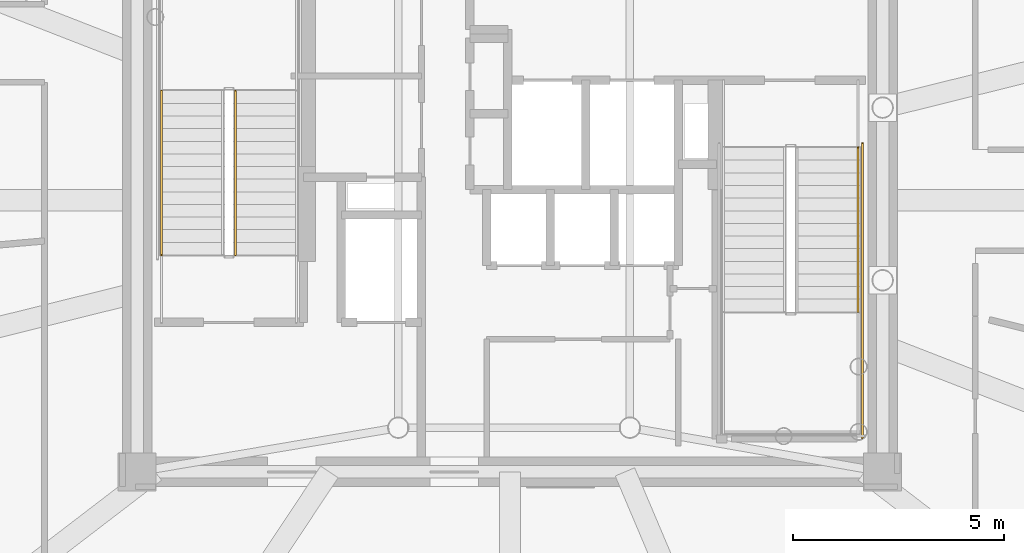
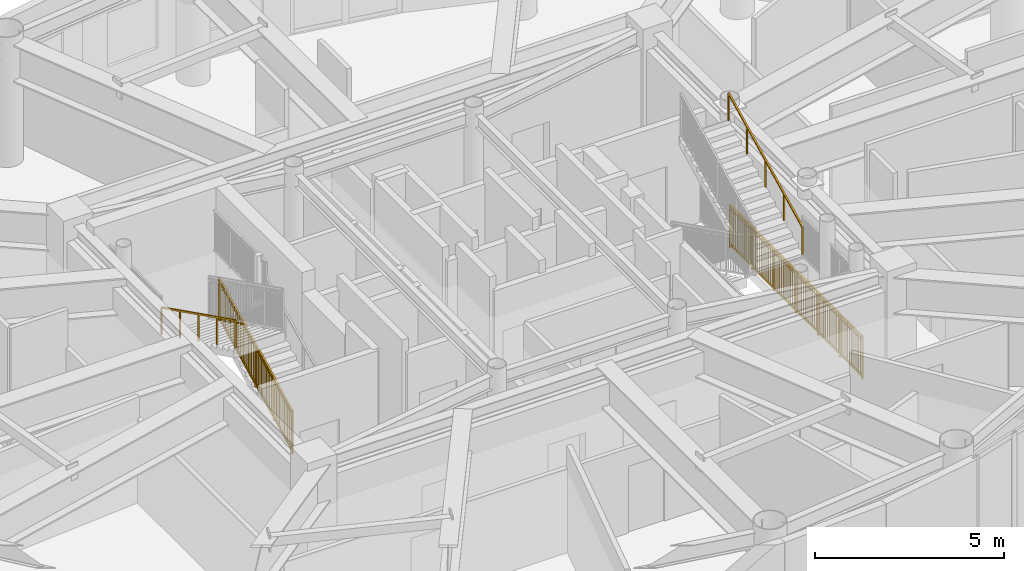
# One storey, part 23 of 26: 4 railings.
"""IFC4 building model written with IfcOpenShell, lengths in metres."""

from ifc_helpers import new_model, si_unit, direction, frame, origin, origin_2d, place, context, subcontext, project, spatial, rectangle, extrude, source, transform, mapped, material, type_object, element, save


model = new_model("IFC4")

# Units and contexts
model_context = context("Model", 3, precision=1e-05, world=origin(), true_north=direction((0.0, 1.0)))
body_context = subcontext(model_context, "Body", "Model", "MODEL_VIEW")
ifc_project = project(units=[si_unit("LENGTHUNIT", "METRE"), si_unit("AREAUNIT", "SQUARE_METRE"), si_unit("VOLUMEUNIT", "CUBIC_METRE"), si_unit("PLANEANGLEUNIT", "RADIAN"), si_unit("MASSUNIT", "GRAM", prefix="KILO")], contexts=[model_context])

# Site, building, storey
site_placement = place(None, origin())
site = spatial("IfcSite", under=ifc_project, at=site_placement, CompositionType="ELEMENT")
building_placement = place(site_placement, origin())
building = spatial("IfcBuilding", under=site, at=building_placement, Name="Linh Dai School and Residence Tower", CompositionType="ELEMENT")
storey_placement = place(building_placement, frame((0.0, 0.0, 351.0)))
storey = spatial("IfcBuildingStorey", under=building, at=storey_placement, Name="L87", CompositionType="ELEMENT", Elevation=351.0)

# Railings
ifc_material_1 = material(Name="Structural Steel S355JR", Category="steel")
railing_type_1 = type_object("IfcRailingType", Name="RL-ST-GUARD-1400", PredefinedType="GUARDRAIL", material=ifc_material_1)
shared_shape_1 = source(origin(), body_context, "Body", "SweptSolid", [
    extrude(rectangle(XDim=0.048095703125, YDim=0.048095703125, at=origin_2d()), frame((0.0, 0.0, 1.3759765625), z_axis=(0.0, 0.894415993023, 0.447235990752), x_axis=(-1.0, 0.0, 0.0)), (0.0, 0.0, 1.0), 4.360595703125),
    extrude(rectangle(XDim=0.048095703125, YDim=0.048095703125, at=origin_2d()), frame((0.0, 0.0, 0.10009765625), z_axis=(0.0, 0.894415993023, 0.447235990752), x_axis=(-1.0, 0.0, 0.0)), (0.0, 0.0, 1.0), 4.360595703125),
    extrude(rectangle(XDim=0.030029296875, YDim=0.030029296875, at=origin_2d()), frame((0.0, 0.0, 1.239990234375), z_axis=(0.0, 0.894415993023, 0.447235990752), x_axis=(-1.0, 0.0, 0.0)), (0.0, 0.0, 1.0), 4.360595703125),
    extrude(rectangle(XDim=0.02001953125, YDim=0.02001953125, at=origin_2d()), frame((0.0, 0.086669921875, 0.1435546875)), (0.0, 0.0, 1.0), 1.251708984375),
    extrude(rectangle(XDim=0.02001953125, YDim=0.02001953125, at=origin_2d()), frame((0.0, 0.17333984375, 0.186767578125)), (0.0, 0.0, 1.0), 1.251708984375),
    extrude(rectangle(XDim=0.02001953125, YDim=0.02001953125, at=origin_2d()), frame((0.0, 0.260009765625, 0.230224609375)), (0.0, 0.0, 1.0), 1.251708984375),
    extrude(rectangle(XDim=0.02001953125, YDim=0.02001953125, at=origin_2d()), frame((0.0, 0.3466796875, 0.2734375)), (0.0, 0.0, 1.0), 1.251708984375),
    extrude(rectangle(XDim=0.02001953125, YDim=0.02001953125, at=origin_2d()), frame((0.0, 0.433349609375, 0.31689453125)), (0.0, 0.0, 1.0), 1.251708984375),
    extrude(rectangle(XDim=0.02001953125, YDim=0.02001953125, at=origin_2d()), frame((0.0, 0.52001953125, 0.360107421875)), (0.0, 0.0, 1.0), 1.251708984375),
    extrude(rectangle(XDim=0.02001953125, YDim=0.02001953125, at=origin_2d()), frame((0.0, 0.606689453125, 0.403564453125)), (0.0, 0.0, 1.0), 1.251708984375),
    extrude(rectangle(XDim=0.02001953125, YDim=0.02001953125, at=origin_2d()), frame((0.0, 0.693359375, 0.44677734375)), (0.0, 0.0, 1.0), 1.251708984375),
    extrude(rectangle(XDim=0.02001953125, YDim=0.02001953125, at=origin_2d()), frame((0.0, 0.780029296875, 0.490234375)), (0.0, 0.0, 1.0), 1.251708984375),
    extrude(rectangle(XDim=0.02001953125, YDim=0.02001953125, at=origin_2d()), frame((0.0, 0.86669921875, 0.533447265625)), (0.0, 0.0, 1.0), 1.251708984375),
    extrude(rectangle(XDim=0.02001953125, YDim=0.02001953125, at=origin_2d()), frame((0.0, 1.0400390625, 0.6201171875)), (0.0, 0.0, 1.0), 1.251708984375),
    extrude(rectangle(XDim=0.02001953125, YDim=0.02001953125, at=origin_2d()), frame((0.0, 1.126708984375, 0.66357421875)), (0.0, 0.0, 1.0), 1.251708984375),
    extrude(rectangle(XDim=0.02001953125, YDim=0.02001953125, at=origin_2d()), frame((0.0, 1.21337890625, 0.706787109375)), (0.0, 0.0, 1.0), 1.251708984375),
    extrude(rectangle(XDim=0.02001953125, YDim=0.02001953125, at=origin_2d()), frame((0.0, 1.300048828125, 0.750244140625)), (0.0, 0.0, 1.0), 1.251708984375),
    extrude(rectangle(XDim=0.02001953125, YDim=0.02001953125, at=origin_2d()), frame((0.0, 1.38671875, 0.79345703125)), (0.0, 0.0, 1.0), 1.251708984375),
    extrude(rectangle(XDim=0.02001953125, YDim=0.02001953125, at=origin_2d()), frame((0.0, 1.473388671875, 0.8369140625)), (0.0, 0.0, 1.0), 1.251708984375),
    extrude(rectangle(XDim=0.02001953125, YDim=0.02001953125, at=origin_2d()), frame((0.0, 1.56005859375, 0.880126953125)), (0.0, 0.0, 1.0), 1.251708984375),
    extrude(rectangle(XDim=0.02001953125, YDim=0.02001953125, at=origin_2d()), frame((0.0, 1.646728515625, 0.923583984375)), (0.0, 0.0, 1.0), 1.251708984375),
    extrude(rectangle(XDim=0.02001953125, YDim=0.02001953125, at=origin_2d()), frame((0.0, 1.7333984375, 0.966796875)), (0.0, 0.0, 1.0), 1.251708984375),
    extrude(rectangle(XDim=0.02001953125, YDim=0.02001953125, at=origin_2d()), frame((0.0, 1.820068359375, 1.01025390625)), (0.0, 0.0, 1.0), 1.251708984375),
    extrude(rectangle(XDim=0.02001953125, YDim=0.02001953125, at=origin_2d()), frame((0.0, 1.90673828125, 1.053466796875)), (0.0, 0.0, 1.0), 1.251708984375),
    extrude(rectangle(XDim=0.02001953125, YDim=0.02001953125, at=origin_2d()), frame((0.0, 1.993408203125, 1.096923828125)), (0.0, 0.0, 1.0), 1.251708984375),
    extrude(rectangle(XDim=0.02001953125, YDim=0.02001953125, at=origin_2d()), frame((0.0, 2.080078125, 1.14013671875)), (0.0, 0.0, 1.0), 1.251708984375),
    extrude(rectangle(XDim=0.02001953125, YDim=0.02001953125, at=origin_2d()), frame((0.0, 2.166748046875, 1.18359375)), (0.0, 0.0, 1.0), 1.251708984375),
    extrude(rectangle(XDim=0.02001953125, YDim=0.02001953125, at=origin_2d()), frame((0.0, 2.25341796875, 1.226806640625)), (0.0, 0.0, 1.0), 1.251708984375),
    extrude(rectangle(XDim=0.02001953125, YDim=0.02001953125, at=origin_2d()), frame((0.0, 2.340087890625, 1.270263671875)), (0.0, 0.0, 1.0), 1.251708984375),
    extrude(rectangle(XDim=0.02001953125, YDim=0.02001953125, at=origin_2d()), frame((0.0, 2.4267578125, 1.3134765625)), (0.0, 0.0, 1.0), 1.251708984375),
    extrude(rectangle(XDim=0.02001953125, YDim=0.02001953125, at=origin_2d()), frame((0.0, 2.513427734375, 1.35693359375)), (0.0, 0.0, 1.0), 1.251708984375),
    extrude(rectangle(XDim=0.02001953125, YDim=0.02001953125, at=origin_2d()), frame((0.0, 2.60009765625, 1.400146484375)), (0.0, 0.0, 1.0), 1.251708984375),
    extrude(rectangle(XDim=0.02001953125, YDim=0.02001953125, at=origin_2d()), frame((0.0, 2.686767578125, 1.443603515625)), (0.0, 0.0, 1.0), 1.251708984375),
    extrude(rectangle(XDim=0.02001953125, YDim=0.02001953125, at=origin_2d()), frame((0.0, 2.7734375, 1.48681640625)), (0.0, 0.0, 1.0), 1.251708984375),
    extrude(rectangle(XDim=0.02001953125, YDim=0.02001953125, at=origin_2d()), frame((0.0, 2.860107421875, 1.5302734375)), (0.0, 0.0, 1.0), 1.251708984375),
    extrude(rectangle(XDim=0.02001953125, YDim=0.02001953125, at=origin_2d()), frame((0.0, 3.033447265625, 1.616943359375)), (0.0, 0.0, 1.0), 1.251708984375),
    extrude(rectangle(XDim=0.02001953125, YDim=0.02001953125, at=origin_2d()), frame((0.0, 3.1201171875, 1.66015625)), (0.0, 0.0, 1.0), 1.251708984375),
    extrude(rectangle(XDim=0.02001953125, YDim=0.02001953125, at=origin_2d()), frame((0.0, 3.206787109375, 1.70361328125)), (0.0, 0.0, 1.0), 1.251708984375),
    extrude(rectangle(XDim=0.02001953125, YDim=0.02001953125, at=origin_2d()), frame((0.0, 3.29345703125, 1.746826171875)), (0.0, 0.0, 1.0), 1.251708984375),
    extrude(rectangle(XDim=0.02001953125, YDim=0.02001953125, at=origin_2d()), frame((0.0, 3.380126953125, 1.790283203125)), (0.0, 0.0, 1.0), 1.251708984375),
    extrude(rectangle(XDim=0.02001953125, YDim=0.02001953125, at=origin_2d()), frame((0.0, 3.466796875, 1.83349609375)), (0.0, 0.0, 1.0), 1.251708984375),
    extrude(rectangle(XDim=0.02001953125, YDim=0.02001953125, at=origin_2d()), frame((0.0, 3.553466796875, 1.876953125)), (0.0, 0.0, 1.0), 1.251708984375),
    extrude(rectangle(XDim=0.02001953125, YDim=0.02001953125, at=origin_2d()), frame((0.0, 3.64013671875, 1.920166015625)), (0.0, 0.0, 1.0), 1.251708984375),
    extrude(rectangle(XDim=0.02001953125, YDim=0.02001953125, at=origin_2d()), frame((0.0, 3.726806640625, 1.963623046875)), (0.0, 0.0, 1.0), 1.251708984375),
    extrude(rectangle(XDim=0.02001953125, YDim=0.02001953125, at=origin_2d()), frame((0.0, 3.8134765625, 2.0068359375)), (0.0, 0.0, 1.0), 1.251708984375),
    extrude(rectangle(XDim=0.0419921875, YDim=0.0419921875, at=origin_2d()), origin(), (0.0, 0.0, 1.0), 1.3759765625),
    extrude(rectangle(XDim=0.0419921875, YDim=0.0419921875, at=origin_2d()), frame((0.0, 0.97509765625, 0.487548828125)), (0.0, 0.0, 1.0), 1.3759765625),
    extrude(rectangle(XDim=0.0419921875, YDim=0.0419921875, at=origin_2d()), frame((0.0, 1.9501953125, 0.97509765625)), (0.0, 0.0, 1.0), 1.3759765625),
    extrude(rectangle(XDim=0.0419921875, YDim=0.0419921875, at=origin_2d()), frame((0.0, 2.925048828125, 1.462646484375)), (0.0, 0.0, 1.0), 1.3759765625),
    extrude(rectangle(XDim=0.0419921875, YDim=0.0419921875, at=origin_2d()), frame((0.0, 3.900146484375, 1.9501953125)), (0.0, 0.0, 1.0), 1.3759765625),
])
railing_1_placement = place(storey_placement, frame((29.47998046875, 25.699951171875, 0.14990234375)))
element("IfcRailing", 1, at=railing_1_placement, inside=storey, type_object=railing_type_1, Name="L87 ST1 stair guard 1", PredefinedType="GUARDRAIL", context=body_context, shape_type="MappedRepresentation", body=[
    mapped(shared_shape_1, transform((0.0, 0.0, 0.0), x_axis=(1.0, 0.0, 0.0), y_axis=(0.0, 1.0, 0.0), z_axis=(0.0, 0.0, 1.0), scale=1.0)),
])
ifc_material_2 = material(Name="Brushed Stainless Steel Handrail", Category="steel")
railing_type_2 = type_object("IfcRailingType", Name="RL-ST-HANDRAIL-900", PredefinedType="HANDRAIL", material=ifc_material_2)
shared_shape_2 = source(origin(), body_context, "Body", "SweptSolid", [
    extrude(rectangle(XDim=0.048095703125, YDim=0.048095703125, at=origin_2d()), frame((0.0, 0.0, 0.8759765625), z_axis=(0.0, -0.894438388696, 0.447191199406), x_axis=(1.0, 0.0, 0.0)), (0.0, 0.0, 1.0), 4.3603515625),
    extrude(rectangle(XDim=0.0419921875, YDim=0.0419921875, at=origin_2d()), origin(), (0.0, 0.0, 1.0), 0.8759765625),
    extrude(rectangle(XDim=0.0419921875, YDim=0.0419921875, at=origin_2d()), frame((0.0, -0.97509765625, 0.487548828125)), (0.0, 0.0, 1.0), 0.8759765625),
    extrude(rectangle(XDim=0.0419921875, YDim=0.0419921875, at=origin_2d()), frame((0.0, -1.9501953125, 0.97509765625)), (0.0, 0.0, 1.0), 0.8759765625),
    extrude(rectangle(XDim=0.0419921875, YDim=0.0419921875, at=origin_2d()), frame((0.0, -2.925048828125, 1.46240234375)), (0.0, 0.0, 1.0), 0.8759765625),
    extrude(rectangle(XDim=0.0419921875, YDim=0.0419921875, at=origin_2d()), frame((0.0, -3.900146484375, 1.949951171875)), (0.0, 0.0, 1.0), 0.8759765625),
])
railing_2_placement = place(storey_placement, frame((27.72998046875, 29.60009765625, 2.25)))
element("IfcRailing", 2, at=railing_2_placement, inside=storey, type_object=railing_type_2, Name="L87 ST1 stair handrail 2", PredefinedType="HANDRAIL", context=body_context, shape_type="MappedRepresentation", body=[
    mapped(shared_shape_2, transform((0.0, 0.0, 0.0), x_axis=(1.0, 0.0, 0.0), y_axis=(0.0, 1.0, 0.0), z_axis=(0.0, 0.0, 1.0), scale=1.0)),
])
shared_shape_3 = source(origin(), body_context, "Body", "SweptSolid", [
    extrude(rectangle(XDim=0.048095703125, YDim=0.048095703125, at=origin_2d()), frame((0.0, 0.0, 1.3759765625), z_axis=(0.0, -1.0, 0.0), x_axis=(1.0, 0.0, 0.0)), (0.0, 0.0, 1.0), 7.0),
    extrude(rectangle(XDim=0.048095703125, YDim=0.048095703125, at=origin_2d()), frame((0.0, 0.0, 0.10009765625), z_axis=(0.0, -1.0, 0.0), x_axis=(1.0, 0.0, 0.0)), (0.0, 0.0, 1.0), 7.0),
    extrude(rectangle(XDim=0.030029296875, YDim=0.030029296875, at=origin_2d()), frame((0.0, 0.0, 1.239990234375), z_axis=(0.0, -1.0, 0.0), x_axis=(1.0, 0.0, 0.0)), (0.0, 0.0, 1.0), 7.0),
    extrude(rectangle(XDim=0.02001953125, YDim=0.02001953125, at=origin_2d()), frame((0.0, -0.09716796875, 0.10009765625)), (0.0, 0.0, 1.0), 1.251708984375),
    extrude(rectangle(XDim=0.02001953125, YDim=0.02001953125, at=origin_2d()), frame((0.0, -0.1943359375, 0.10009765625)), (0.0, 0.0, 1.0), 1.251708984375),
    extrude(rectangle(XDim=0.02001953125, YDim=0.02001953125, at=origin_2d()), frame((0.0, -0.291748046875, 0.10009765625)), (0.0, 0.0, 1.0), 1.251708984375),
    extrude(rectangle(XDim=0.02001953125, YDim=0.02001953125, at=origin_2d()), frame((0.0, -0.388916015625, 0.10009765625)), (0.0, 0.0, 1.0), 1.251708984375),
    extrude(rectangle(XDim=0.02001953125, YDim=0.02001953125, at=origin_2d()), frame((0.0, -0.486083984375, 0.10009765625)), (0.0, 0.0, 1.0), 1.251708984375),
    extrude(rectangle(XDim=0.02001953125, YDim=0.02001953125, at=origin_2d()), frame((0.0, -0.583251953125, 0.10009765625)), (0.0, 0.0, 1.0), 1.251708984375),
    extrude(rectangle(XDim=0.02001953125, YDim=0.02001953125, at=origin_2d()), frame((0.0, -0.6806640625, 0.10009765625)), (0.0, 0.0, 1.0), 1.251708984375),
    extrude(rectangle(XDim=0.02001953125, YDim=0.02001953125, at=origin_2d()), frame((0.0, -0.77783203125, 0.10009765625)), (0.0, 0.0, 1.0), 1.251708984375),
    extrude(rectangle(XDim=0.02001953125, YDim=0.02001953125, at=origin_2d()), frame((0.0, -0.875, 0.10009765625)), (0.0, 0.0, 1.0), 1.251708984375),
    extrude(rectangle(XDim=0.02001953125, YDim=0.02001953125, at=origin_2d()), frame((0.0, -0.97216796875, 0.10009765625)), (0.0, 0.0, 1.0), 1.251708984375),
    extrude(rectangle(XDim=0.02001953125, YDim=0.02001953125, at=origin_2d()), frame((0.0, -1.0693359375, 0.10009765625)), (0.0, 0.0, 1.0), 1.251708984375),
    extrude(rectangle(XDim=0.02001953125, YDim=0.02001953125, at=origin_2d()), frame((0.0, -1.263916015625, 0.10009765625)), (0.0, 0.0, 1.0), 1.251708984375),
    extrude(rectangle(XDim=0.02001953125, YDim=0.02001953125, at=origin_2d()), frame((0.0, -1.361083984375, 0.10009765625)), (0.0, 0.0, 1.0), 1.251708984375),
    extrude(rectangle(XDim=0.02001953125, YDim=0.02001953125, at=origin_2d()), frame((0.0, -1.458251953125, 0.10009765625)), (0.0, 0.0, 1.0), 1.251708984375),
    extrude(rectangle(XDim=0.02001953125, YDim=0.02001953125, at=origin_2d()), frame((0.0, -1.5556640625, 0.10009765625)), (0.0, 0.0, 1.0), 1.251708984375),
    extrude(rectangle(XDim=0.02001953125, YDim=0.02001953125, at=origin_2d()), frame((0.0, -1.65283203125, 0.10009765625)), (0.0, 0.0, 1.0), 1.251708984375),
    extrude(rectangle(XDim=0.02001953125, YDim=0.02001953125, at=origin_2d()), frame((0.0, -1.75, 0.10009765625)), (0.0, 0.0, 1.0), 1.251708984375),
    extrude(rectangle(XDim=0.02001953125, YDim=0.02001953125, at=origin_2d()), frame((0.0, -1.84716796875, 0.10009765625)), (0.0, 0.0, 1.0), 1.251708984375),
    extrude(rectangle(XDim=0.02001953125, YDim=0.02001953125, at=origin_2d()), frame((0.0, -1.9443359375, 0.10009765625)), (0.0, 0.0, 1.0), 1.251708984375),
    extrude(rectangle(XDim=0.02001953125, YDim=0.02001953125, at=origin_2d()), frame((0.0, -2.041748046875, 0.10009765625)), (0.0, 0.0, 1.0), 1.251708984375),
    extrude(rectangle(XDim=0.02001953125, YDim=0.02001953125, at=origin_2d()), frame((0.0, -2.138916015625, 0.10009765625)), (0.0, 0.0, 1.0), 1.251708984375),
    extrude(rectangle(XDim=0.02001953125, YDim=0.02001953125, at=origin_2d()), frame((0.0, -2.236083984375, 0.10009765625)), (0.0, 0.0, 1.0), 1.251708984375),
    extrude(rectangle(XDim=0.02001953125, YDim=0.02001953125, at=origin_2d()), frame((0.0, -2.4306640625, 0.10009765625)), (0.0, 0.0, 1.0), 1.251708984375),
    extrude(rectangle(XDim=0.02001953125, YDim=0.02001953125, at=origin_2d()), frame((0.0, -2.52783203125, 0.10009765625)), (0.0, 0.0, 1.0), 1.251708984375),
    extrude(rectangle(XDim=0.02001953125, YDim=0.02001953125, at=origin_2d()), frame((0.0, -2.625, 0.10009765625)), (0.0, 0.0, 1.0), 1.251708984375),
    extrude(rectangle(XDim=0.02001953125, YDim=0.02001953125, at=origin_2d()), frame((0.0, -2.72216796875, 0.10009765625)), (0.0, 0.0, 1.0), 1.251708984375),
    extrude(rectangle(XDim=0.02001953125, YDim=0.02001953125, at=origin_2d()), frame((0.0, -2.8193359375, 0.10009765625)), (0.0, 0.0, 1.0), 1.251708984375),
    extrude(rectangle(XDim=0.02001953125, YDim=0.02001953125, at=origin_2d()), frame((0.0, -2.916748046875, 0.10009765625)), (0.0, 0.0, 1.0), 1.251708984375),
    extrude(rectangle(XDim=0.02001953125, YDim=0.02001953125, at=origin_2d()), frame((0.0, -3.013916015625, 0.10009765625)), (0.0, 0.0, 1.0), 1.251708984375),
    extrude(rectangle(XDim=0.02001953125, YDim=0.02001953125, at=origin_2d()), frame((0.0, -3.111083984375, 0.10009765625)), (0.0, 0.0, 1.0), 1.251708984375),
    extrude(rectangle(XDim=0.02001953125, YDim=0.02001953125, at=origin_2d()), frame((0.0, -3.208251953125, 0.10009765625)), (0.0, 0.0, 1.0), 1.251708984375),
    extrude(rectangle(XDim=0.02001953125, YDim=0.02001953125, at=origin_2d()), frame((0.0, -3.3056640625, 0.10009765625)), (0.0, 0.0, 1.0), 1.251708984375),
    extrude(rectangle(XDim=0.02001953125, YDim=0.02001953125, at=origin_2d()), frame((0.0, -3.40283203125, 0.10009765625)), (0.0, 0.0, 1.0), 1.251708984375),
    extrude(rectangle(XDim=0.02001953125, YDim=0.02001953125, at=origin_2d()), frame((0.0, -3.59716796875, 0.10009765625)), (0.0, 0.0, 1.0), 1.251708984375),
    extrude(rectangle(XDim=0.02001953125, YDim=0.02001953125, at=origin_2d()), frame((0.0, -3.6943359375, 0.10009765625)), (0.0, 0.0, 1.0), 1.251708984375),
    extrude(rectangle(XDim=0.02001953125, YDim=0.02001953125, at=origin_2d()), frame((0.0, -3.791748046875, 0.10009765625)), (0.0, 0.0, 1.0), 1.251708984375),
    extrude(rectangle(XDim=0.02001953125, YDim=0.02001953125, at=origin_2d()), frame((0.0, -3.888916015625, 0.10009765625)), (0.0, 0.0, 1.0), 1.251708984375),
    extrude(rectangle(XDim=0.02001953125, YDim=0.02001953125, at=origin_2d()), frame((0.0, -3.986083984375, 0.10009765625)), (0.0, 0.0, 1.0), 1.251708984375),
    extrude(rectangle(XDim=0.02001953125, YDim=0.02001953125, at=origin_2d()), frame((0.0, -4.083251953125, 0.10009765625)), (0.0, 0.0, 1.0), 1.251708984375),
    extrude(rectangle(XDim=0.02001953125, YDim=0.02001953125, at=origin_2d()), frame((0.0, -4.1806640625, 0.10009765625)), (0.0, 0.0, 1.0), 1.251708984375),
    extrude(rectangle(XDim=0.02001953125, YDim=0.02001953125, at=origin_2d()), frame((0.0, -4.27783203125, 0.10009765625)), (0.0, 0.0, 1.0), 1.251708984375),
    extrude(rectangle(XDim=0.02001953125, YDim=0.02001953125, at=origin_2d()), frame((0.0, -4.375, 0.10009765625)), (0.0, 0.0, 1.0), 1.251708984375),
    extrude(rectangle(XDim=0.02001953125, YDim=0.02001953125, at=origin_2d()), frame((0.0, -4.47216796875, 0.10009765625)), (0.0, 0.0, 1.0), 1.251708984375),
    extrude(rectangle(XDim=0.02001953125, YDim=0.02001953125, at=origin_2d()), frame((0.0, -4.5693359375, 0.10009765625)), (0.0, 0.0, 1.0), 1.251708984375),
    extrude(rectangle(XDim=0.02001953125, YDim=0.02001953125, at=origin_2d()), frame((0.0, -4.763916015625, 0.10009765625)), (0.0, 0.0, 1.0), 1.251708984375),
    extrude(rectangle(XDim=0.02001953125, YDim=0.02001953125, at=origin_2d()), frame((0.0, -4.861083984375, 0.10009765625)), (0.0, 0.0, 1.0), 1.251708984375),
    extrude(rectangle(XDim=0.02001953125, YDim=0.02001953125, at=origin_2d()), frame((0.0, -4.958251953125, 0.10009765625)), (0.0, 0.0, 1.0), 1.251708984375),
    extrude(rectangle(XDim=0.02001953125, YDim=0.02001953125, at=origin_2d()), frame((0.0, -5.0556640625, 0.10009765625)), (0.0, 0.0, 1.0), 1.251708984375),
    extrude(rectangle(XDim=0.02001953125, YDim=0.02001953125, at=origin_2d()), frame((0.0, -5.15283203125, 0.10009765625)), (0.0, 0.0, 1.0), 1.251708984375),
    extrude(rectangle(XDim=0.02001953125, YDim=0.02001953125, at=origin_2d()), frame((0.0, -5.25, 0.10009765625)), (0.0, 0.0, 1.0), 1.251708984375),
    extrude(rectangle(XDim=0.02001953125, YDim=0.02001953125, at=origin_2d()), frame((0.0, -5.34716796875, 0.10009765625)), (0.0, 0.0, 1.0), 1.251708984375),
    extrude(rectangle(XDim=0.02001953125, YDim=0.02001953125, at=origin_2d()), frame((0.0, -5.4443359375, 0.10009765625)), (0.0, 0.0, 1.0), 1.251708984375),
    extrude(rectangle(XDim=0.02001953125, YDim=0.02001953125, at=origin_2d()), frame((0.0, -5.541748046875, 0.10009765625)), (0.0, 0.0, 1.0), 1.251708984375),
    extrude(rectangle(XDim=0.02001953125, YDim=0.02001953125, at=origin_2d()), frame((0.0, -5.638916015625, 0.10009765625)), (0.0, 0.0, 1.0), 1.251708984375),
    extrude(rectangle(XDim=0.02001953125, YDim=0.02001953125, at=origin_2d()), frame((0.0, -5.736083984375, 0.10009765625)), (0.0, 0.0, 1.0), 1.251708984375),
    extrude(rectangle(XDim=0.02001953125, YDim=0.02001953125, at=origin_2d()), frame((0.0, -5.9306640625, 0.10009765625)), (0.0, 0.0, 1.0), 1.251708984375),
    extrude(rectangle(XDim=0.02001953125, YDim=0.02001953125, at=origin_2d()), frame((0.0, -6.02783203125, 0.10009765625)), (0.0, 0.0, 1.0), 1.251708984375),
    extrude(rectangle(XDim=0.02001953125, YDim=0.02001953125, at=origin_2d()), frame((0.0, -6.125, 0.10009765625)), (0.0, 0.0, 1.0), 1.251708984375),
    extrude(rectangle(XDim=0.02001953125, YDim=0.02001953125, at=origin_2d()), frame((0.0, -6.22216796875, 0.10009765625)), (0.0, 0.0, 1.0), 1.251708984375),
    extrude(rectangle(XDim=0.02001953125, YDim=0.02001953125, at=origin_2d()), frame((0.0, -6.3193359375, 0.10009765625)), (0.0, 0.0, 1.0), 1.251708984375),
    extrude(rectangle(XDim=0.02001953125, YDim=0.02001953125, at=origin_2d()), frame((0.0, -6.416748046875, 0.10009765625)), (0.0, 0.0, 1.0), 1.251708984375),
    extrude(rectangle(XDim=0.02001953125, YDim=0.02001953125, at=origin_2d()), frame((0.0, -6.513916015625, 0.10009765625)), (0.0, 0.0, 1.0), 1.251708984375),
    extrude(rectangle(XDim=0.02001953125, YDim=0.02001953125, at=origin_2d()), frame((0.0, -6.611083984375, 0.10009765625)), (0.0, 0.0, 1.0), 1.251708984375),
    extrude(rectangle(XDim=0.02001953125, YDim=0.02001953125, at=origin_2d()), frame((0.0, -6.708251953125, 0.10009765625)), (0.0, 0.0, 1.0), 1.251708984375),
    extrude(rectangle(XDim=0.02001953125, YDim=0.02001953125, at=origin_2d()), frame((0.0, -6.8056640625, 0.10009765625)), (0.0, 0.0, 1.0), 1.251708984375),
    extrude(rectangle(XDim=0.02001953125, YDim=0.02001953125, at=origin_2d()), frame((0.0, -6.90283203125, 0.10009765625)), (0.0, 0.0, 1.0), 1.251708984375),
    extrude(rectangle(XDim=0.0419921875, YDim=0.0419921875, at=origin_2d()), origin(), (0.0, 0.0, 1.0), 1.3759765625),
    extrude(rectangle(XDim=0.0419921875, YDim=0.0419921875, at=origin_2d()), frame((0.0, -1.166748046875, 0.0)), (0.0, 0.0, 1.0), 1.3759765625),
    extrude(rectangle(XDim=0.0419921875, YDim=0.0419921875, at=origin_2d()), frame((0.0, -2.333251953125, 0.0)), (0.0, 0.0, 1.0), 1.3759765625),
    extrude(rectangle(XDim=0.0419921875, YDim=0.0419921875, at=origin_2d()), frame((0.0, -3.5, 0.0)), (0.0, 0.0, 1.0), 1.3759765625),
    extrude(rectangle(XDim=0.0419921875, YDim=0.0419921875, at=origin_2d()), frame((0.0, -4.666748046875, 0.0)), (0.0, 0.0, 1.0), 1.3759765625),
    extrude(rectangle(XDim=0.0419921875, YDim=0.0419921875, at=origin_2d()), frame((0.0, -5.833251953125, 0.0)), (0.0, 0.0, 1.0), 1.3759765625),
    extrude(rectangle(XDim=0.0419921875, YDim=0.0419921875, at=origin_2d()), frame((0.0, -7.0, 0.0)), (0.0, 0.0, 1.0), 1.3759765625),
])
railing_3_placement = place(storey_placement, frame((44.3701171875, 28.35009765625, 0.0)))
element("IfcRailing", 3, at=railing_3_placement, inside=storey, type_object=railing_type_1, Name="L87 ST2 stair guard 11", PredefinedType="GUARDRAIL", context=body_context, shape_type="MappedRepresentation", body=[
    mapped(shared_shape_3, transform((0.0, 0.0, 0.0), x_axis=(1.0, 0.0, 0.0), y_axis=(0.0, 1.0, 0.0), z_axis=(0.0, 0.0, 1.0), scale=1.0)),
])
shared_shape_4 = source(origin(), body_context, "Body", "SweptSolid", [
    extrude(rectangle(XDim=0.048095703125, YDim=0.048095703125, at=origin_2d()), frame((0.0, 0.0, 0.8759765625), z_axis=(0.0, 0.894427191, 0.4472135955), x_axis=(-1.0, 0.0, 0.0)), (0.0, 0.0, 1.0), 4.360107421875),
    extrude(rectangle(XDim=0.0419921875, YDim=0.0419921875, at=origin_2d()), origin(), (0.0, 0.0, 1.0), 0.8759765625),
    extrude(rectangle(XDim=0.0419921875, YDim=0.0419921875, at=origin_2d()), frame((0.0, 0.97509765625, 0.487548828125)), (0.0, 0.0, 1.0), 0.8759765625),
    extrude(rectangle(XDim=0.0419921875, YDim=0.0419921875, at=origin_2d()), frame((0.0, 1.949951171875, 0.97509765625)), (0.0, 0.0, 1.0), 0.8759765625),
    extrude(rectangle(XDim=0.0419921875, YDim=0.0419921875, at=origin_2d()), frame((0.0, 2.9248046875, 1.46240234375)), (0.0, 0.0, 1.0), 0.8759765625),
    extrude(rectangle(XDim=0.0419921875, YDim=0.0419921875, at=origin_2d()), frame((0.0, 3.89990234375, 1.949951171875)), (0.0, 0.0, 1.0), 0.8759765625),
])
railing_4_placement = place(storey_placement, frame((44.27001953125, 24.35009765625, 2.25)))
element("IfcRailing", 4, at=railing_4_placement, inside=storey, type_object=railing_type_2, Name="L87 ST2 stair handrail 2", PredefinedType="HANDRAIL", context=body_context, shape_type="MappedRepresentation", body=[
    mapped(shared_shape_4, transform((0.0, 0.0, 0.0), x_axis=(1.0, 0.0, 0.0), y_axis=(0.0, 1.0, 0.0), z_axis=(0.0, 0.0, 1.0), scale=1.0)),
])

save(model, "model.ifc")
